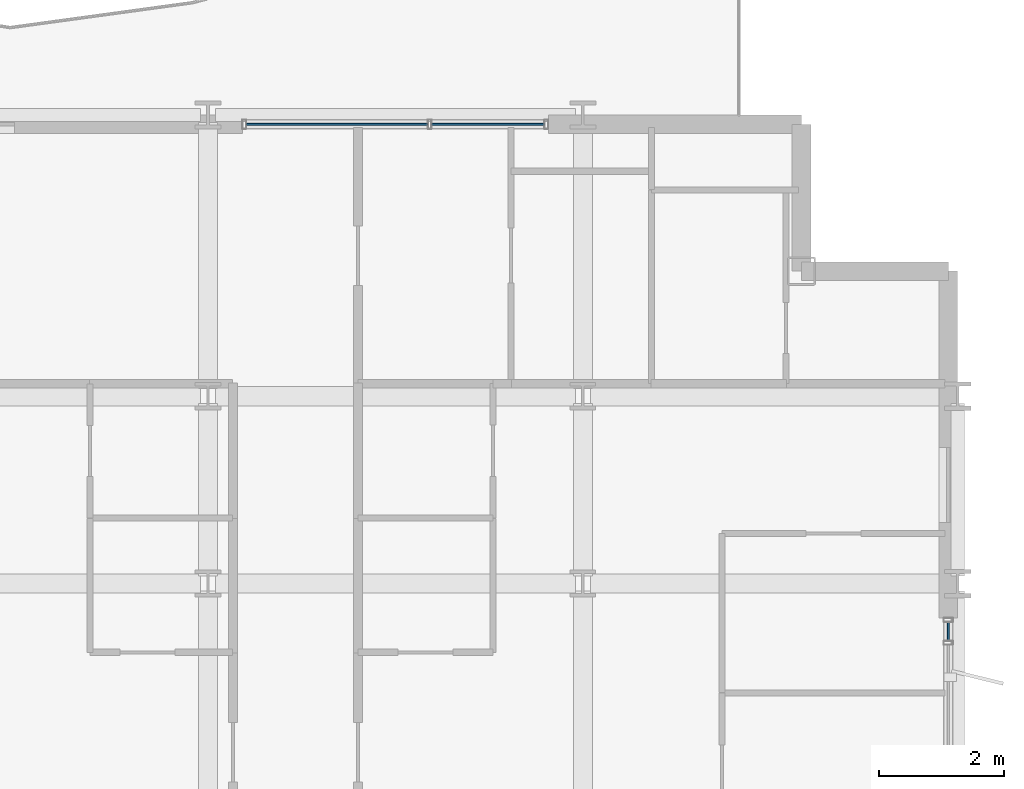
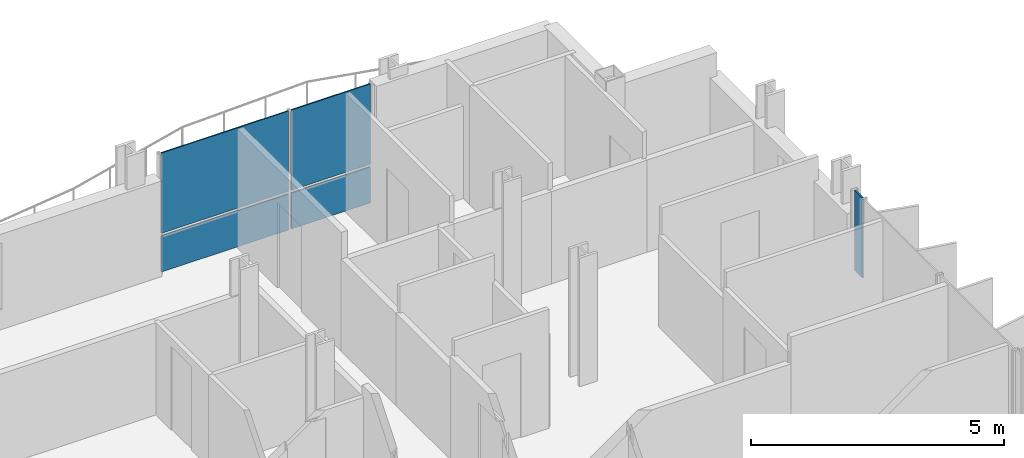
# One storey, part 24 of 39: 5 plates, 2 elements without a shape of their own.
"""IFC4 building model written with IfcOpenShell, lengths in metres."""

from ifc_helpers import new_model, si_unit, direction, frame, origin, origin_2d, place, context, subcontext, project, spatial, rectangle, extrude, material, layer, layer_set, type_object, element, aggregate, save


model = new_model("IFC4")

# Units and contexts
model_context = context("Model", 3, precision=1e-05, world=origin(), true_north=direction((0.0, 1.0)))
body_context = subcontext(model_context, "Body", "Model", "MODEL_VIEW")
ifc_project = project(units=[si_unit("LENGTHUNIT", "METRE"), si_unit("AREAUNIT", "SQUARE_METRE"), si_unit("VOLUMEUNIT", "CUBIC_METRE"), si_unit("PLANEANGLEUNIT", "RADIAN"), si_unit("MASSUNIT", "GRAM", prefix="KILO")], contexts=[model_context])

# Site, building, storey
site_placement = place(None, origin())
site = spatial("IfcSite", under=ifc_project, at=site_placement, CompositionType="ELEMENT")
building_placement = place(site_placement, origin())
building = spatial("IfcBuilding", under=site, at=building_placement, Name="Brevholm Reach", CompositionType="ELEMENT")
storey_placement = place(building_placement, frame((0.0, 0.0, 77.60009765625)))
storey = spatial("IfcBuildingStorey", under=building, at=storey_placement, Name="L22", CompositionType="ELEMENT", Elevation=77.60009765625)

# Curtain wall, plate
ifc_material_1 = material(Name="Dark Anodised Aluminium 6063-T6 and Solar-Control Glass", Category="aluminium")
ifc_layer_1 = layer(ifc_material_1, 0.14990234375)
ifc_layer_set_1 = layer_set([ifc_layer_1], Name="Dark Anodised Aluminium 6063-T6 and Solar-Control Glass")
curtain_wall_type = type_object("IfcCurtainWallType", Name="CW-01", PredefinedType="NOTDEFINED", material=ifc_layer_set_1)
curtain_wall_1_placement = place(storey_placement, origin())
curtain_wall_1 = element("IfcCurtainWall", 1, at=curtain_wall_1_placement, inside=storey, type_object=curtain_wall_type, Name="L22 Curtain Wall CW-01", PredefinedType="NOTDEFINED")
ifc_material_2 = material(Name="Dark Solar-Control Double-Glazed IGU Glass", Category="glass")
ifc_layer_2 = layer(ifc_material_2, 0.028076171875)
ifc_layer_set_2 = layer_set([ifc_layer_2], Name="Dark Solar-Control Double-Glazed IGU Glass")
plate_type = type_object("IfcPlateType", Name="CWP-GLZ-28", PredefinedType="CURTAIN_PANEL", material=ifc_layer_set_2)
plate_1_placement = place(storey_placement, frame((59.85009765625, 22.733642578125, 0.932373046875), z_axis=(0.0, 0.0, 1.0), x_axis=(0.0, 1.0, 0.0)))
plate_1 = element("IfcPlate", 2, at=plate_1_placement, type_object=plate_type, Name="CP-01 Glazing Panel 5.2", PredefinedType="CURTAIN_PANEL", context=body_context, shape_type="SweptSolid", body=[
    extrude(rectangle(XDim=0.302490234375, YDim=0.028076171875, at=origin_2d()), origin(), (0.0, 0.0, 1.0), 1.9375),
])
aggregate(curtain_wall_1, [plate_1])

# Curtain wall, plates
curtain_wall_2_placement = place(storey_placement, origin())
curtain_wall_2 = element("IfcCurtainWall", 3, at=curtain_wall_2_placement, inside=storey, type_object=curtain_wall_type, Name="L22 Curtain Wall CW-01", PredefinedType="NOTDEFINED")
plate_2_placement = place(storey_placement, frame((50.066162109375, 30.85009765625, 0.0), z_axis=(0.0, 0.0, 1.0), x_axis=(1.0, 0.0, 0.0)))
plate_2 = element("IfcPlate", 4, at=plate_2_placement, type_object=plate_type, Name="CP-01 Glazing Panel 1.1", PredefinedType="CURTAIN_PANEL", context=body_context, shape_type="SweptSolid", body=[
    extrude(rectangle(XDim=2.902587890625, YDim=0.028076171875, at=origin_2d()), origin(), (0.0, 0.0, 1.0), 0.867431640625),
])
plate_3_placement = place(storey_placement, frame((50.066162109375, 30.85009765625, 0.932373046875), z_axis=(0.0, 0.0, 1.0), x_axis=(1.0, 0.0, 0.0)))
plate_3 = element("IfcPlate", 5, at=plate_3_placement, type_object=plate_type, Name="CP-01 Glazing Panel 1.2", PredefinedType="CURTAIN_PANEL", context=body_context, shape_type="SweptSolid", body=[
    extrude(rectangle(XDim=2.902587890625, YDim=0.028076171875, at=origin_2d()), origin(), (0.0, 0.0, 1.0), 1.9375),
])
plate_4_placement = place(storey_placement, frame((52.483642578125, 30.85009765625, 0.0), z_axis=(0.0, 0.0, 1.0), x_axis=(1.0, 0.0, 0.0)))
plate_4 = element("IfcPlate", 6, at=plate_4_placement, type_object=plate_type, Name="CP-01 Glazing Panel 2.1", PredefinedType="CURTAIN_PANEL", context=body_context, shape_type="SweptSolid", body=[
    extrude(rectangle(XDim=1.802490234375, YDim=0.028076171875, at=origin_2d()), origin(), (0.0, 0.0, 1.0), 0.867431640625),
])
plate_5_placement = place(storey_placement, frame((52.483642578125, 30.85009765625, 0.932373046875), z_axis=(0.0, 0.0, 1.0), x_axis=(1.0, 0.0, 0.0)))
plate_5 = element("IfcPlate", 7, at=plate_5_placement, type_object=plate_type, Name="CP-01 Glazing Panel 2.2", PredefinedType="CURTAIN_PANEL", context=body_context, shape_type="SweptSolid", body=[
    extrude(rectangle(XDim=1.802490234375, YDim=0.028076171875, at=origin_2d()), origin(), (0.0, 0.0, 1.0), 1.9375),
])
aggregate(curtain_wall_2, [plate_2, plate_3, plate_4, plate_5])

save(model, "model.ifc")
